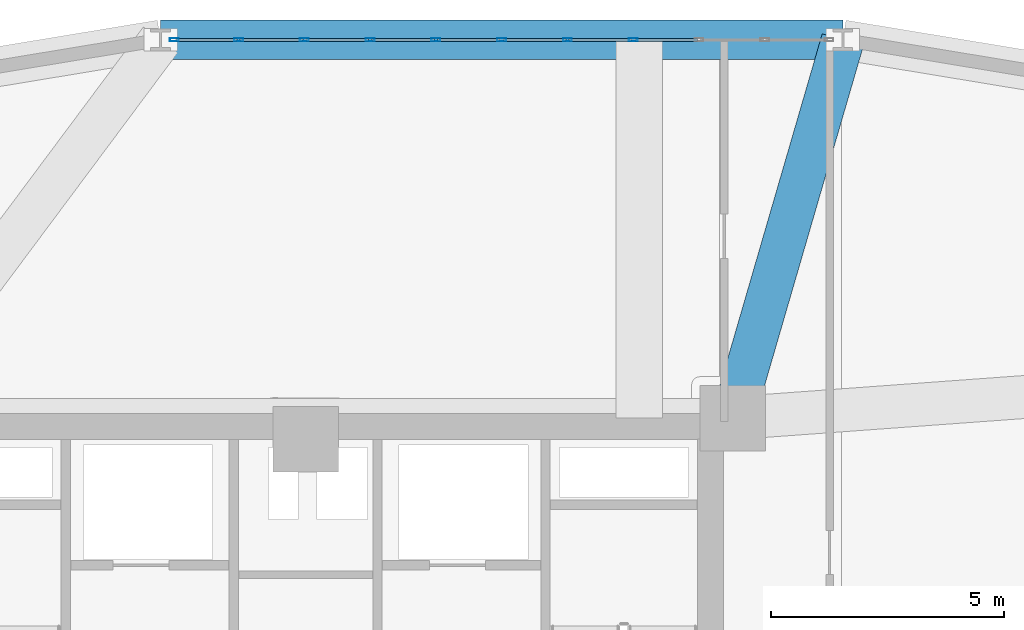
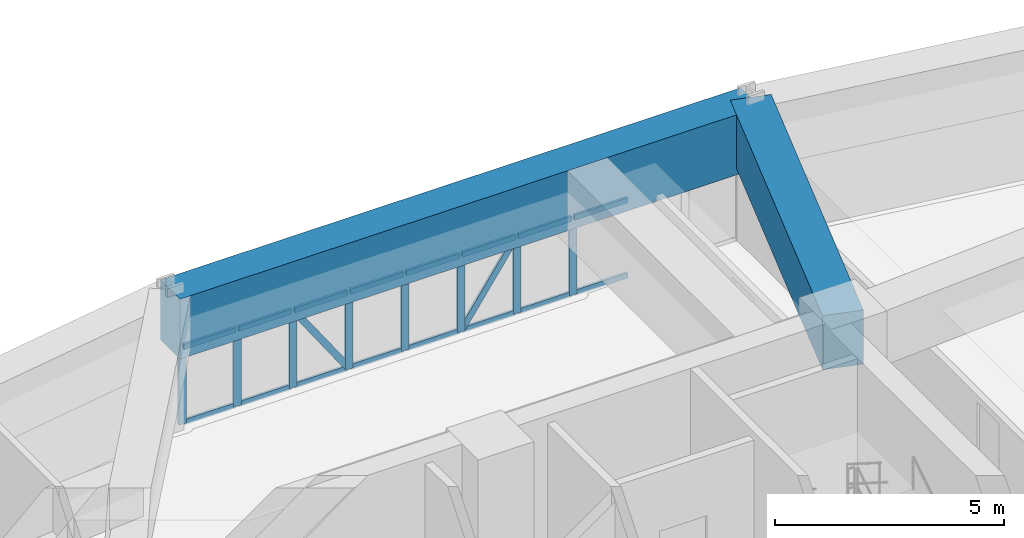
# One storey, part 10 of 18: 26 members, 2 beams, 1 element without a shape of its own.
"""IFC4 building model written with IfcOpenShell, lengths in metres."""

from ifc_helpers import new_model, si_unit, derived_unit, direction, frame, origin, origin_2d, place, context, subcontext, project, spatial, rectangle, hollow_rectangle, extrude, source, transform, mapped, material, layer, layer_set, material_profile, profile_set, type_object, element, aggregate, save


model = new_model("IFC4")

# Units and contexts
model_context = context("Model", 3, precision=1e-05, world=origin(), true_north=direction((0.0, 1.0)))
body_context = subcontext(model_context, "Body", "Model", "MODEL_VIEW")
ifc_project = project(units=[si_unit("LENGTHUNIT", "METRE"), si_unit("AREAUNIT", "SQUARE_METRE"), si_unit("VOLUMEUNIT", "CUBIC_METRE"), si_unit("PLANEANGLEUNIT", "RADIAN"), si_unit("MASSUNIT", "GRAM", prefix="KILO"), derived_unit("THERMALTRANSMITTANCEUNIT", [(si_unit("POWERUNIT", "WATT"), 1), (si_unit("LENGTHUNIT", "METRE"), -2), (si_unit("THERMODYNAMICTEMPERATUREUNIT", "KELVIN"), -1)])], contexts=[model_context])

# Site, building, storey
site_placement = place(None, origin())
site = spatial("IfcSite", under=ifc_project, at=site_placement, CompositionType="ELEMENT")
building_placement = place(site_placement, origin())
building = spatial("IfcBuilding", under=site, at=building_placement, Name="Korsvarv Bourse and Concert Hall", CompositionType="ELEMENT")
storey_placement = place(building_placement, frame((0.0, 0.0, 95.10009765625)))
storey = spatial("IfcBuildingStorey", under=building, at=storey_placement, Name="L23", CompositionType="ELEMENT", Elevation=95.10009765625)

# Beams
ifc_material_1 = material(Name="Concrete C55/67", Category="concrete")
ifc_material_profile_1 = material_profile(ifc_material_1, rectangle(XDim=0.85009765625, YDim=1.60009765625, at=origin_2d()), Name="RC-BM 850x1600")
ifc_profile_set_1 = profile_set([ifc_material_profile_1], Name="Concrete C55/67")
beam_type_1 = type_object("IfcBeamType", Name="BM-TR1B", PredefinedType="BEAM", material=ifc_profile_set_1)
shared_shape_1 = source(origin(), body_context, "Body", "SweptSolid", [
    extrude(rectangle(XDim=0.85009765625, YDim=1.60009765625, at=origin_2d()), origin(), (0.0, 0.0, 1.0), 14.617919921875),
])
beam_1_placement = place(storey_placement, frame((47.509033203125, 55.35791015625, 2.869873046875), z_axis=(-1.0, 0.0, 0.0), x_axis=(0.0, -1.0, 0.0)))
element("IfcBeam", 1, at=beam_1_placement, inside=storey, type_object=beam_type_1, Name="L23 beam B-TR2", PredefinedType="BEAM", context=body_context, shape_type="MappedRepresentation", body=[
    mapped(shared_shape_1, transform((0.0, 0.0, 0.0), scale=1.0)),
])
ifc_material_2 = material(Name="Concrete C50/60", Category="concrete")
ifc_material_profile_2 = material_profile(ifc_material_2, rectangle(XDim=0.919921875, YDim=1.43994140625, at=origin_2d()), Name="RC-BM 920x1440")
ifc_profile_set_2 = profile_set([ifc_material_profile_2], Name="Concrete C50/60")
beam_type_2 = type_object("IfcBeamType", Name="BM-TR-144", PredefinedType="BEAM", material=ifc_profile_set_2)
shared_shape_2 = source(origin(), body_context, "Body", "SweptSolid", [
    extrude(rectangle(XDim=0.919921875, YDim=1.43994140625, at=origin_2d()), origin(), (0.0, 0.0, 1.0), 8.444091796875),
])
beam_2_placement = place(storey_placement, frame((47.509033203125, 55.35791015625, 2.949951171875), z_axis=(-0.279380430123, -0.960180490983, 0.0), x_axis=(0.960180490983, -0.279380430123, 0.0)))
element("IfcBeam", 2, at=beam_2_placement, inside=storey, type_object=beam_type_2, Name="L23 beam B-TR4", PredefinedType="BEAM", context=body_context, shape_type="MappedRepresentation", body=[
    mapped(shared_shape_2, transform((0.0, 0.0, 0.0), scale=1.0)),
])

# Curtain wall, members
ifc_material_3 = material(Name="Anodised aluminium and triple low-E glazing", Category="glass")
ifc_layer = layer(ifc_material_3, 0.219970703125)
ifc_layer_set = layer_set([ifc_layer], Name="Anodised aluminium and triple low-E glazing")
curtain_wall_type = type_object("IfcCurtainWallType", Name="CW-SYS-1", PredefinedType="NOTDEFINED", material=ifc_layer_set)
curtain_wall_placement = place(storey_placement, origin())
curtain_wall = element("IfcCurtainWall", 3, at=curtain_wall_placement, inside=storey, type_object=curtain_wall_type, Name="L23 CW1 curtain wall CW-L23-F03", PredefinedType="NOTDEFINED")
ifc_material_4 = material(Name="Extruded aluminium EN AW-6063 T66", Category="aluminium")
ifc_material_profile_3 = material_profile(ifc_material_4, hollow_rectangle(XDim=0.070068359375, YDim=0.18994140625, WallThickness=0.0048828125, at=origin_2d()), Name="ALU-M 70x190")
ifc_profile_set_3 = profile_set([ifc_material_profile_3], Name="Extruded aluminium EN AW-6063 T66")
member_type_1 = type_object("IfcMemberType", Name="CWM-190", PredefinedType="MULLION", material=ifc_profile_set_3)
shared_shape_3 = source(origin(), body_context, "Body", "SweptSolid", [
    extrude(hollow_rectangle(XDim=0.070068359375, YDim=0.18994140625, WallThickness=0.0048828125, at=origin_2d()), origin(), (0.0, 0.0, 1.0), 2.06982421875),
])
member_1_placement = place(storey_placement, frame((43.018798828125, 55.35791015625, 0.0), z_axis=(0.0, 0.0, 1.0), x_axis=(0.0, -1.0, 0.0)))
member_1 = element("IfcMember", 4, at=member_1_placement, type_object=member_type_1, Name="CW1 mullion 4", PredefinedType="MULLION", context=body_context, shape_type="MappedRepresentation", body=[
    mapped(shared_shape_3, transform((0.0, 0.0, 0.0), scale=1.0)),
])
member_2_placement = place(storey_placement, frame((41.609375, 55.35791015625, 0.0), z_axis=(0.0, 0.0, 1.0), x_axis=(0.0, -1.0, 0.0)))
member_2 = element("IfcMember", 5, at=member_2_placement, type_object=member_type_1, Name="CW1 mullion 5", PredefinedType="MULLION", context=body_context, shape_type="MappedRepresentation", body=[
    mapped(shared_shape_3, transform((0.0, 0.0, 0.0), scale=1.0)),
])
member_3_placement = place(storey_placement, frame((40.199951171875, 55.35791015625, 0.0), z_axis=(0.0, 0.0, 1.0), x_axis=(0.0, -1.0, 0.0)))
member_3 = element("IfcMember", 6, at=member_3_placement, type_object=member_type_1, Name="CW1 mullion 6", PredefinedType="MULLION", context=body_context, shape_type="MappedRepresentation", body=[
    mapped(shared_shape_3, transform((0.0, 0.0, 0.0), scale=1.0)),
])
member_4_placement = place(storey_placement, frame((38.79052734375, 55.35791015625, 0.0), z_axis=(0.0, 0.0, 1.0), x_axis=(0.0, -1.0, 0.0)))
member_4 = element("IfcMember", 7, at=member_4_placement, type_object=member_type_1, Name="CW1 mullion 7", PredefinedType="MULLION", context=body_context, shape_type="MappedRepresentation", body=[
    mapped(shared_shape_3, transform((0.0, 0.0, 0.0), scale=1.0)),
])
member_5_placement = place(storey_placement, frame((37.381103515625, 55.35791015625, 0.0), z_axis=(0.0, 0.0, 1.0), x_axis=(0.0, -1.0, 0.0)))
member_5 = element("IfcMember", 8, at=member_5_placement, type_object=member_type_1, Name="CW1 mullion 8", PredefinedType="MULLION", context=body_context, shape_type="MappedRepresentation", body=[
    mapped(shared_shape_3, transform((0.0, 0.0, 0.0), scale=1.0)),
])
member_6_placement = place(storey_placement, frame((35.9716796875, 55.35791015625, 0.0), z_axis=(0.0, 0.0, 1.0), x_axis=(0.0, -1.0, 0.0)))
member_6 = element("IfcMember", 9, at=member_6_placement, type_object=member_type_1, Name="CW1 mullion 9", PredefinedType="MULLION", context=body_context, shape_type="MappedRepresentation", body=[
    mapped(shared_shape_3, transform((0.0, 0.0, 0.0), scale=1.0)),
])
member_7_placement = place(storey_placement, frame((34.5625, 55.35791015625, 0.0), z_axis=(0.0, 0.0, 1.0), x_axis=(0.0, -1.0, 0.0)))
member_7 = element("IfcMember", 10, at=member_7_placement, type_object=member_type_1, Name="CW1 mullion 10", PredefinedType="MULLION", context=body_context, shape_type="MappedRepresentation", body=[
    mapped(shared_shape_3, transform((0.0, 0.0, 0.0), scale=1.0)),
])
member_8_placement = place(storey_placement, frame((33.18798828125, 55.35791015625, 0.0), z_axis=(0.0, 0.0, 1.0), x_axis=(0.0, -1.0, 0.0)))
member_8 = element("IfcMember", 11, at=member_8_placement, type_object=member_type_1, Name="CW1 mullion 11", PredefinedType="MULLION", context=body_context, shape_type="MappedRepresentation", body=[
    mapped(shared_shape_3, transform((0.0, 0.0, 0.0), scale=1.0)),
])
ifc_material_profile_4 = material_profile(ifc_material_4, hollow_rectangle(XDim=0.06494140625, YDim=0.139892578125, WallThickness=0.00390625, at=origin_2d()), Name="ALU-T 65x140")
ifc_profile_set_4 = profile_set([ifc_material_profile_4], Name="Extruded aluminium EN AW-6063 T66")
member_type_2 = type_object("IfcMemberType", Name="CWT-140", PredefinedType="USERDEFINED", material=ifc_profile_set_4)
shared_shape_4 = source(origin(), body_context, "Body", "SweptSolid", [
    extrude(hollow_rectangle(XDim=0.06494140625, YDim=0.139892578125, WallThickness=0.00390625, at=origin_2d()), origin(), (0.0, 0.0, 1.0), 1.304443359375),
])
member_9_placement = place(storey_placement, frame((34.52734375, 55.35791015625, 0.032470703125), z_axis=(-1.0, 0.0, 0.0), x_axis=(0.0, -1.0, 0.0)))
member_9 = element("IfcMember", 12, at=member_9_placement, type_object=member_type_2, Name="CW1 transom 10.1", ObjectType="TRANSOM", PredefinedType="USERDEFINED", context=body_context, shape_type="MappedRepresentation", body=[
    mapped(shared_shape_4, transform((0.0, 0.0, 0.0), scale=1.0)),
])
member_10_placement = place(storey_placement, frame((34.52734375, 55.35791015625, 2.037353515625), z_axis=(-1.0, 0.0, 0.0), x_axis=(0.0, -1.0, 0.0)))
member_10 = element("IfcMember", 13, at=member_10_placement, type_object=member_type_2, Name="CW1 transom 10.2", ObjectType="TRANSOM", PredefinedType="USERDEFINED", context=body_context, shape_type="MappedRepresentation", body=[
    mapped(shared_shape_4, transform((0.0, 0.0, 0.0), scale=1.0)),
])
shared_shape_5 = source(origin(), body_context, "Body", "SweptSolid", [
    extrude(hollow_rectangle(XDim=0.06494140625, YDim=0.139892578125, WallThickness=0.00390625, at=origin_2d()), origin(), (0.0, 0.0, 1.0), 1.33935546875),
])
member_11_placement = place(storey_placement, frame((41.574462890625, 55.35791015625, 0.032470703125), z_axis=(-1.0, 0.0, 0.0), x_axis=(0.0, -1.0, 0.0)))
member_11 = element("IfcMember", 14, at=member_11_placement, type_object=member_type_2, Name="CW1 transom 5.1", ObjectType="TRANSOM", PredefinedType="USERDEFINED", context=body_context, shape_type="MappedRepresentation", body=[
    mapped(shared_shape_5, transform((0.0, 0.0, 0.0), scale=1.0)),
])
member_12_placement = place(storey_placement, frame((41.574462890625, 55.35791015625, 2.037353515625), z_axis=(-1.0, 0.0, 0.0), x_axis=(0.0, -1.0, 0.0)))
member_12 = element("IfcMember", 15, at=member_12_placement, type_object=member_type_2, Name="CW1 transom 5.2", ObjectType="TRANSOM", PredefinedType="USERDEFINED", context=body_context, shape_type="MappedRepresentation", body=[
    mapped(shared_shape_5, transform((0.0, 0.0, 0.0), scale=1.0)),
])
member_13_placement = place(storey_placement, frame((40.1650390625, 55.35791015625, 0.032470703125), z_axis=(-1.0, 0.0, 0.0), x_axis=(0.0, -1.0, 0.0)))
member_13 = element("IfcMember", 16, at=member_13_placement, type_object=member_type_2, Name="CW1 transom 6.1", ObjectType="TRANSOM", PredefinedType="USERDEFINED", context=body_context, shape_type="MappedRepresentation", body=[
    mapped(shared_shape_5, transform((0.0, 0.0, 0.0), scale=1.0)),
])
member_14_placement = place(storey_placement, frame((40.1650390625, 55.35791015625, 2.037353515625), z_axis=(-1.0, 0.0, 0.0), x_axis=(0.0, -1.0, 0.0)))
member_14 = element("IfcMember", 17, at=member_14_placement, type_object=member_type_2, Name="CW1 transom 6.2", ObjectType="TRANSOM", PredefinedType="USERDEFINED", context=body_context, shape_type="MappedRepresentation", body=[
    mapped(shared_shape_5, transform((0.0, 0.0, 0.0), scale=1.0)),
])
member_15_placement = place(storey_placement, frame((38.755615234375, 55.35791015625, 0.032470703125), z_axis=(-1.0, 0.0, 0.0), x_axis=(0.0, -1.0, 0.0)))
member_15 = element("IfcMember", 18, at=member_15_placement, type_object=member_type_2, Name="CW1 transom 7.1", ObjectType="TRANSOM", PredefinedType="USERDEFINED", context=body_context, shape_type="MappedRepresentation", body=[
    mapped(shared_shape_5, transform((0.0, 0.0, 0.0), scale=1.0)),
])
member_16_placement = place(storey_placement, frame((38.755615234375, 55.35791015625, 2.037353515625), z_axis=(-1.0, 0.0, 0.0), x_axis=(0.0, -1.0, 0.0)))
member_16 = element("IfcMember", 19, at=member_16_placement, type_object=member_type_2, Name="CW1 transom 7.2", ObjectType="TRANSOM", PredefinedType="USERDEFINED", context=body_context, shape_type="MappedRepresentation", body=[
    mapped(shared_shape_5, transform((0.0, 0.0, 0.0), scale=1.0)),
])
member_17_placement = place(storey_placement, frame((37.34619140625, 55.35791015625, 0.032470703125), z_axis=(-1.0, 0.0, 0.0), x_axis=(0.0, -1.0, 0.0)))
member_17 = element("IfcMember", 20, at=member_17_placement, type_object=member_type_2, Name="CW1 transom 8.1", ObjectType="TRANSOM", PredefinedType="USERDEFINED", context=body_context, shape_type="MappedRepresentation", body=[
    mapped(shared_shape_5, transform((0.0, 0.0, 0.0), scale=1.0)),
])
member_18_placement = place(storey_placement, frame((37.34619140625, 55.35791015625, 2.037353515625), z_axis=(-1.0, 0.0, 0.0), x_axis=(0.0, -1.0, 0.0)))
member_18 = element("IfcMember", 21, at=member_18_placement, type_object=member_type_2, Name="CW1 transom 8.2", ObjectType="TRANSOM", PredefinedType="USERDEFINED", context=body_context, shape_type="MappedRepresentation", body=[
    mapped(shared_shape_5, transform((0.0, 0.0, 0.0), scale=1.0)),
])
member_19_placement = place(storey_placement, frame((35.936767578125, 55.35791015625, 0.032470703125), z_axis=(-1.0, 0.0, 0.0), x_axis=(0.0, -1.0, 0.0)))
member_19 = element("IfcMember", 22, at=member_19_placement, type_object=member_type_2, Name="CW1 transom 9.1", ObjectType="TRANSOM", PredefinedType="USERDEFINED", context=body_context, shape_type="MappedRepresentation", body=[
    mapped(shared_shape_5, transform((0.0, 0.0, 0.0), scale=1.0)),
])
member_20_placement = place(storey_placement, frame((35.936767578125, 55.35791015625, 2.037353515625), z_axis=(-1.0, 0.0, 0.0), x_axis=(0.0, -1.0, 0.0)))
member_20 = element("IfcMember", 23, at=member_20_placement, type_object=member_type_2, Name="CW1 transom 9.2", ObjectType="TRANSOM", PredefinedType="USERDEFINED", context=body_context, shape_type="MappedRepresentation", body=[
    mapped(shared_shape_5, transform((0.0, 0.0, 0.0), scale=1.0)),
])
ifc_material_profile_5 = material_profile(ifc_material_4, hollow_rectangle(XDim=0.06494140625, YDim=0.1650390625, WallThickness=0.0048828125, at=origin_2d()), Name="ALU-M 65x165")
ifc_profile_set_5 = profile_set([ifc_material_profile_5], Name="Extruded aluminium EN AW-6063 T66")
member_type_3 = type_object("IfcMemberType", Name="CWM-165", PredefinedType="MULLION", material=ifc_profile_set_5)
shared_shape_6 = source(origin(), body_context, "Body", "SweptSolid", [
    extrude(hollow_rectangle(XDim=0.06494140625, YDim=0.1650390625, WallThickness=0.0048828125, at=origin_2d()), origin(), (0.0, 0.0, 1.0), 2.357421875),
])
member_21_placement = place(storey_placement, frame((40.235107421875, 55.35791015625, 0.06494140625), z_axis=(0.568153981986, 0.0, 0.822922264101), x_axis=(0.0, 1.0, 0.0)))
member_21 = element("IfcMember", 24, at=member_21_placement, type_object=member_type_3, Name="CW1 diagonal mullion 5", PredefinedType="MULLION", context=body_context, shape_type="MappedRepresentation", body=[
    mapped(shared_shape_6, transform((0.0, 0.0, 0.0), scale=1.0)),
])
member_22_placement = place(storey_placement, frame((37.34619140625, 55.35791015625, 0.06494140625), z_axis=(-0.568153981986, 0.0, 0.822922264101), x_axis=(0.0, -1.0, 0.0)))
member_22 = element("IfcMember", 25, at=member_22_placement, type_object=member_type_3, Name="CW1 diagonal mullion 8", PredefinedType="MULLION", context=body_context, shape_type="MappedRepresentation", body=[
    mapped(shared_shape_6, transform((0.0, 0.0, 0.0), scale=1.0)),
])
shared_shape_7 = source(origin(), body_context, "Body", "SweptSolid", [
    extrude(hollow_rectangle(XDim=0.06494140625, YDim=0.139892578125, WallThickness=0.00390625, at=origin_2d()), origin(), (0.0, 0.0, 1.0), 1.339599609375),
])
member_23_placement = place(storey_placement, frame((44.393310546875, 55.35791015625, 0.032470703125), z_axis=(-1.0, 0.0, 0.0), x_axis=(0.0, -1.0, 0.0)))
member_23 = element("IfcMember", 26, at=member_23_placement, type_object=member_type_2, Name="CW1 transom 3.1", ObjectType="TRANSOM", PredefinedType="USERDEFINED", context=body_context, shape_type="MappedRepresentation", body=[
    mapped(shared_shape_7, transform((0.0, 0.0, 0.0), scale=1.0)),
])
member_24_placement = place(storey_placement, frame((44.393310546875, 55.35791015625, 2.037353515625), z_axis=(-1.0, 0.0, 0.0), x_axis=(0.0, -1.0, 0.0)))
member_24 = element("IfcMember", 27, at=member_24_placement, type_object=member_type_2, Name="CW1 transom 3.2", ObjectType="TRANSOM", PredefinedType="USERDEFINED", context=body_context, shape_type="MappedRepresentation", body=[
    mapped(shared_shape_7, transform((0.0, 0.0, 0.0), scale=1.0)),
])
member_25_placement = place(storey_placement, frame((42.98388671875, 55.35791015625, 0.032470703125), z_axis=(-1.0, 0.0, 0.0), x_axis=(0.0, -1.0, 0.0)))
member_25 = element("IfcMember", 28, at=member_25_placement, type_object=member_type_2, Name="CW1 transom 4.1", ObjectType="TRANSOM", PredefinedType="USERDEFINED", context=body_context, shape_type="MappedRepresentation", body=[
    mapped(shared_shape_7, transform((0.0, 0.0, 0.0), scale=1.0)),
])
member_26_placement = place(storey_placement, frame((42.98388671875, 55.35791015625, 2.037353515625), z_axis=(-1.0, 0.0, 0.0), x_axis=(0.0, -1.0, 0.0)))
member_26 = element("IfcMember", 29, at=member_26_placement, type_object=member_type_2, Name="CW1 transom 4.2", ObjectType="TRANSOM", PredefinedType="USERDEFINED", context=body_context, shape_type="MappedRepresentation", body=[
    mapped(shared_shape_7, transform((0.0, 0.0, 0.0), scale=1.0)),
])
aggregate(curtain_wall, [member_1, member_2, member_3, member_4, member_5, member_6, member_7, member_8, member_23, member_24, member_25, member_26, member_11, member_12, member_21, member_13, member_14, member_15, member_16, member_17, member_18, member_22, member_19, member_20, member_9, member_10])

save(model, "model.ifc")
